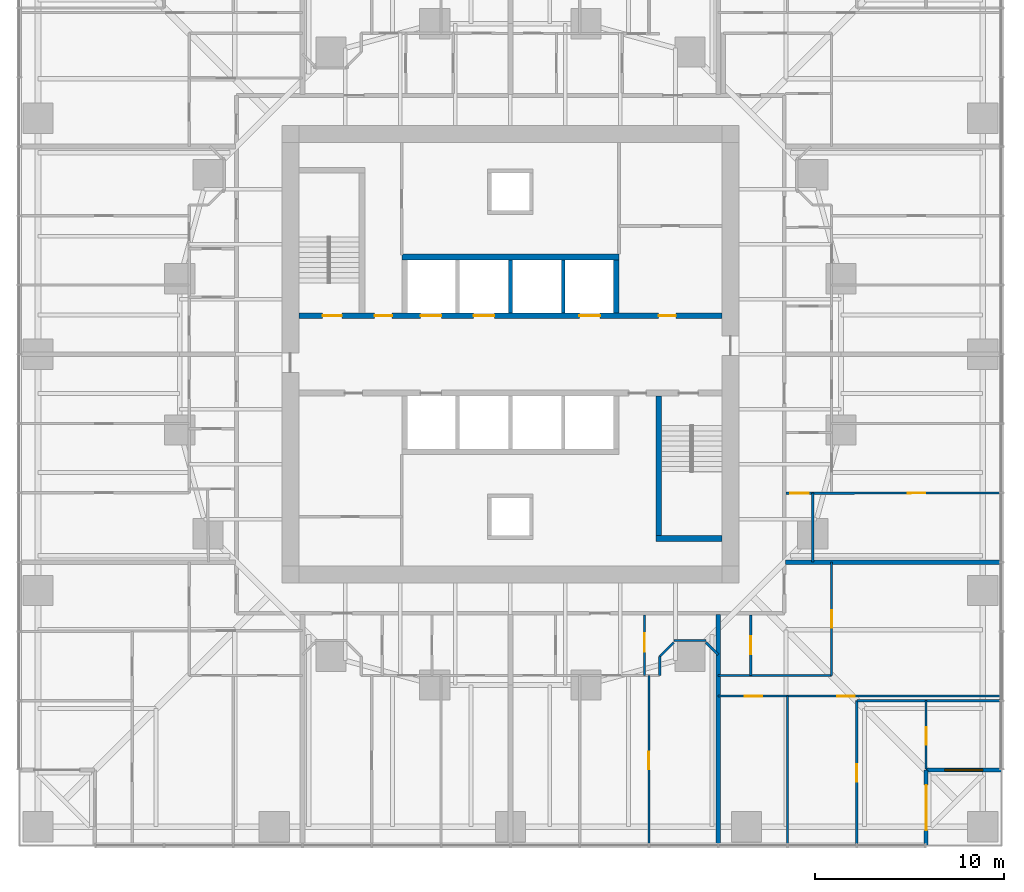
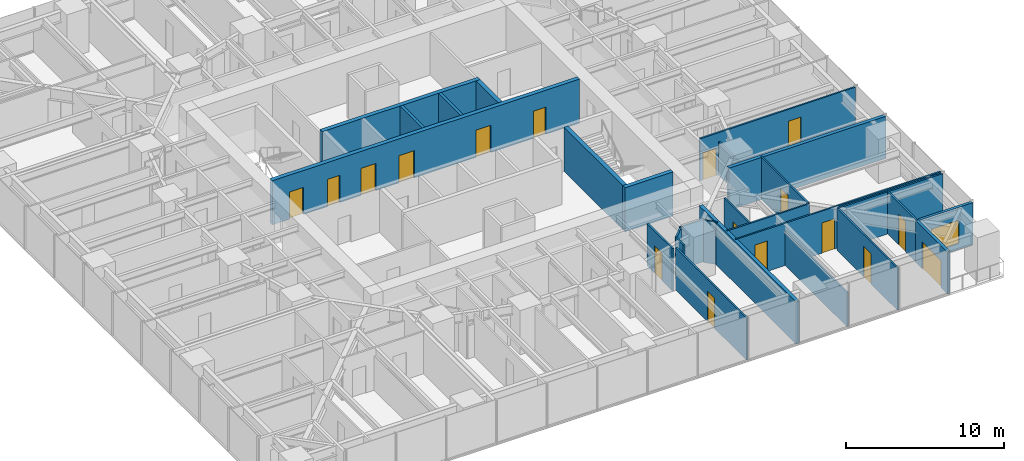
# One storey, part 10 of 17: 27 walls, 17 doors, 1 window, 18 openings.
"""IFC4 building model written with IfcOpenShell, lengths in metres."""

from ifc_helpers import new_model, si_unit, direction, frame, frame_2d, origin, place, context, subcontext, project, spatial, rectangle, extrude, material, layer, layer_set, type_object, element, fill, save


model = new_model("IFC4")

# Units and contexts
model_context = context("Model", 3, precision=1e-05, world=origin(), true_north=direction((0.0, 1.0)))
body_context = subcontext(model_context, "Body", "Model", "MODEL_VIEW")
ifc_project = project(units=[si_unit("LENGTHUNIT", "METRE"), si_unit("AREAUNIT", "SQUARE_METRE"), si_unit("VOLUMEUNIT", "CUBIC_METRE"), si_unit("PLANEANGLEUNIT", "RADIAN"), si_unit("MASSUNIT", "GRAM", prefix="KILO")], contexts=[model_context])

# Site, building, storey
site_placement = place(None, origin())
site = spatial("IfcSite", under=ifc_project, at=site_placement, CompositionType="ELEMENT")
building_placement = place(site_placement, origin())
building = spatial("IfcBuilding", under=site, at=building_placement, Name="Torsade Residences", CompositionType="ELEMENT")
storey_placement = place(building_placement, frame((0.0, 0.0, 21.800048828125)))
storey = spatial("IfcBuildingStorey", under=building, at=storey_placement, Name="L05", CompositionType="ELEMENT", Elevation=21.800048828125)

# Wall, openings, doors
ifc_material_1 = material(Name="Concrete 80 MPa", Category="concrete")
ifc_layer_1 = layer(ifc_material_1, 0.300048828125)
ifc_layer_set_1 = layer_set([ifc_layer_1], Name="Concrete 80 MPa")
wall_type_1 = type_object("IfcWallType", Name="CORE INTERNAL WALL 300", PredefinedType="SHEAR", material=ifc_layer_set_1)
wall_1_placement = place(storey_placement, frame((28.800048828125, 32.050048828125, 0.0), z_axis=(0.0, 0.0, 1.0), x_axis=(1.0, 0.0, 0.0)))
wall_1 = element("IfcWall", 1, at=wall_1_placement, inside=storey, type_object=wall_type_1, Name="Core wall LN L05", PredefinedType="SHEAR", context=body_context, shape_type="SweptSolid", body=[
    extrude(rectangle(XDim=22.39990234375, YDim=0.300048828125, at=frame_2d((11.199951171875, 0.0))), origin(), (0.0, 0.0, 1.0), 3.39990234375),
])
opening_1_placement = place(wall_1_placement, frame((19.0400390625, 0.0, 0.0)))
opening_1 = element("IfcOpeningElement", 2, at=opening_1_placement, cuts=wall_1, Name="Opening D06", PredefinedType="OPENING", context=body_context, shape_type="SweptSolid", body=[
    extrude(rectangle(XDim=0.919921875, YDim=2.10009765625, at=frame_2d((0.4599609375, 1.050048828125))), frame((0.0, 0.159912109375, 0.0), z_axis=(0.0, -1.0, 0.0), x_axis=(1.0, 0.0, 0.0)), (0.0, 0.0, 1.0), 0.320068359375),
])
opening_2_placement = place(wall_1_placement, frame((1.264892578125, 0.0, 0.0)))
opening_2 = element("IfcOpeningElement", 3, at=opening_2_placement, cuts=wall_1, Name="Opening D03", PredefinedType="OPENING", context=body_context, shape_type="SweptSolid", body=[
    extrude(rectangle(XDim=1.02001953125, YDim=2.10009765625, at=frame_2d((0.510009765625, 1.050048828125))), frame((0.0, 0.159912109375, 0.0), z_axis=(0.0, -1.0, 0.0), x_axis=(1.0, 0.0, 0.0)), (0.0, 0.0, 1.0), 0.320068359375),
])
opening_3_placement = place(wall_1_placement, frame((4.014892578125, 0.0, 0.0)))
opening_3 = element("IfcOpeningElement", 4, at=opening_3_placement, cuts=wall_1, Name="Opening D06", PredefinedType="OPENING", context=body_context, shape_type="SweptSolid", body=[
    extrude(rectangle(XDim=0.919921875, YDim=2.10009765625, at=frame_2d((0.4599609375, 1.050048828125))), frame((0.0, 0.159912109375, 0.0), z_axis=(0.0, -1.0, 0.0), x_axis=(1.0, 0.0, 0.0)), (0.0, 0.0, 1.0), 0.320068359375),
])
opening_4_placement = place(wall_1_placement, frame((6.449951171875, 0.0, 0.0)))
opening_4 = element("IfcOpeningElement", 5, at=opening_4_placement, cuts=wall_1, Name="Opening LD", PredefinedType="OPENING", context=body_context, shape_type="SweptSolid", body=[
    extrude(rectangle(XDim=1.10009765625, YDim=2.10009765625, at=frame_2d((0.550048828125, 1.050048828125))), frame((0.0, 0.159912109375, 0.0), z_axis=(0.0, -1.0, 0.0), x_axis=(1.0, 0.0, 0.0)), (0.0, 0.0, 1.0), 0.320068359375),
])
opening_5_placement = place(wall_1_placement, frame((9.25, 0.0, 0.0)))
opening_5 = element("IfcOpeningElement", 6, at=opening_5_placement, cuts=wall_1, Name="Opening LD", PredefinedType="OPENING", context=body_context, shape_type="SweptSolid", body=[
    extrude(rectangle(XDim=1.10009765625, YDim=2.10009765625, at=frame_2d((0.550048828125, 1.050048828125))), frame((0.0, 0.159912109375, 0.0), z_axis=(0.0, -1.0, 0.0), x_axis=(1.0, 0.0, 0.0)), (0.0, 0.0, 1.0), 0.320068359375),
])
opening_6_placement = place(wall_1_placement, frame((14.85009765625, 0.0, 0.0)))
opening_6 = element("IfcOpeningElement", 7, at=opening_6_placement, cuts=wall_1, Name="Opening LD", PredefinedType="OPENING", context=body_context, shape_type="SweptSolid", body=[
    extrude(rectangle(XDim=1.10009765625, YDim=2.10009765625, at=frame_2d((0.550048828125, 1.050048828125))), frame((0.0, 0.159912109375, 0.0), z_axis=(0.0, -1.0, 0.0), x_axis=(1.0, 0.0, 0.0)), (0.0, 0.0, 1.0), 0.320068359375),
])
ifc_material_2 = material(Name="Steel-framed fire door", Category="steel")
door_type_1 = type_object("IfcDoorType", Name="FIRE DOOR 1020", OperationType="NOTDEFINED", PredefinedType="DOOR", material=ifc_material_2)
door_1_placement = place(opening_2_placement, origin())
door_1 = element("IfcDoor", 8, at=door_1_placement, inside=storey, type_object=door_type_1, Name="Exit door to fire-isolated stair ST1 L05", OperationType="SINGLE_SWING_RIGHT", OverallHeight=2.10009765625, OverallWidth=1.02001953125, PredefinedType="DOOR", context=body_context, shape_type="SweptSolid", body=[
    extrude(rectangle(XDim=1.02001953125, YDim=2.10009765625, at=frame_2d((0.510009765625, 1.050048828125))), frame((0.0, 0.02490234375, 0.0), z_axis=(0.0, -1.0, 0.0), x_axis=(1.0, 0.0, 0.0)), (0.0, 0.0, 1.0), 0.050048828125),
])
fill(opening_2, door_1)
ifc_material_3 = material(Name="Steel-framed fire door", Category="steel")
door_type_2 = type_object("IfcDoorType", Name="FIRE DOOR 920", OperationType="NOTDEFINED", PredefinedType="DOOR", material=ifc_material_3)
door_2_placement = place(opening_1_placement, origin())
door_2 = element("IfcDoor", 9, at=door_2_placement, inside=storey, type_object=door_type_2, Name="Door Lift lobby to Refuse room", OperationType="SINGLE_SWING_LEFT", OverallHeight=2.10009765625, OverallWidth=0.919921875, PredefinedType="DOOR", context=body_context, shape_type="SweptSolid", body=[
    extrude(rectangle(XDim=0.919921875, YDim=2.10009765625, at=frame_2d((0.4599609375, 1.050048828125))), frame((0.0, 0.02490234375, 0.0), z_axis=(0.0, -1.0, 0.0), x_axis=(1.0, 0.0, 0.0)), (0.0, 0.0, 1.0), 0.050048828125),
])
fill(opening_1, door_2)
door_3_placement = place(opening_3_placement, origin())
door_3 = element("IfcDoor", 10, at=door_3_placement, inside=storey, type_object=door_type_2, Name="Door Lift lobby to Meter store", OperationType="SINGLE_SWING_LEFT", OverallHeight=2.10009765625, OverallWidth=0.919921875, PredefinedType="DOOR", context=body_context, shape_type="SweptSolid", body=[
    extrude(rectangle(XDim=0.919921875, YDim=2.10009765625, at=frame_2d((0.4599609375, 1.050048828125))), frame((0.0, 0.02490234375, 0.0), z_axis=(0.0, -1.0, 0.0), x_axis=(1.0, 0.0, 0.0)), (0.0, 0.0, 1.0), 0.050048828125),
])
fill(opening_3, door_3)
ifc_material_4 = material(Name="Stainless steel lift landing door", Category="steel")
door_type_3 = type_object("IfcDoorType", Name="LIFT LANDING DOOR 1100", OperationType="SLIDING_TO_LEFT", PredefinedType="DOOR", material=ifc_material_4)
door_4_placement = place(opening_4_placement, origin())
door_4 = element("IfcDoor", 11, at=door_4_placement, inside=storey, type_object=door_type_3, Name="Lift LA1 landing door L05", OperationType="SLIDING_TO_LEFT", OverallHeight=2.10009765625, OverallWidth=1.10009765625, PredefinedType="DOOR", context=body_context, shape_type="SweptSolid", body=[
    extrude(rectangle(XDim=1.10009765625, YDim=2.10009765625, at=frame_2d((0.550048828125, 1.050048828125))), frame((0.0, 0.02490234375, 0.0), z_axis=(0.0, -1.0, 0.0), x_axis=(1.0, 0.0, 0.0)), (0.0, 0.0, 1.0), 0.050048828125),
])
fill(opening_4, door_4)
door_5_placement = place(opening_5_placement, origin())
door_5 = element("IfcDoor", 12, at=door_5_placement, inside=storey, type_object=door_type_3, Name="Lift LA2 landing door L05", OperationType="SLIDING_TO_LEFT", OverallHeight=2.10009765625, OverallWidth=1.10009765625, PredefinedType="DOOR", context=body_context, shape_type="SweptSolid", body=[
    extrude(rectangle(XDim=1.10009765625, YDim=2.10009765625, at=frame_2d((0.550048828125, 1.050048828125))), frame((0.0, 0.02490234375, 0.0), z_axis=(0.0, -1.0, 0.0), x_axis=(1.0, 0.0, 0.0)), (0.0, 0.0, 1.0), 0.050048828125),
])
fill(opening_5, door_5)
door_6_placement = place(opening_6_placement, origin())
door_6 = element("IfcDoor", 13, at=door_6_placement, inside=storey, type_object=door_type_3, Name="Lift FL1 landing door L05", OperationType="SLIDING_TO_LEFT", OverallHeight=2.10009765625, OverallWidth=1.10009765625, PredefinedType="DOOR", context=body_context, shape_type="SweptSolid", body=[
    extrude(rectangle(XDim=1.10009765625, YDim=2.10009765625, at=frame_2d((0.550048828125, 1.050048828125))), frame((0.0, 0.02490234375, 0.0), z_axis=(0.0, -1.0, 0.0), x_axis=(1.0, 0.0, 0.0)), (0.0, 0.0, 1.0), 0.050048828125),
])
fill(opening_6, door_6)

# Walls
wall_2_placement = place(storey_placement, frame((34.25, 35.14990234375, 0.0), z_axis=(0.0, 0.0, 1.0), x_axis=(1.0, 0.0, 0.0)))
element("IfcWall", 14, at=wall_2_placement, inside=storey, type_object=wall_type_1, Name="Core wall BN L05", PredefinedType="SHEAR", context=body_context, shape_type="SweptSolid", body=[
    extrude(rectangle(XDim=11.5, YDim=0.300048828125, at=frame_2d((5.75, 0.0))), origin(), (0.0, 0.0, 1.0), 3.39990234375),
])
wall_3_placement = place(storey_placement, frame((45.60009765625, 32.199951171875, 0.0), z_axis=(0.0, 0.0, 1.0), x_axis=(0.0, 1.0, 0.0)))
element("IfcWall", 15, at=wall_3_placement, inside=storey, type_object=wall_type_1, Name="Core wall DN4 L05", PredefinedType="SHEAR", context=body_context, shape_type="SweptSolid", body=[
    extrude(rectangle(XDim=2.800048828125, YDim=0.300048828125, at=frame_2d((1.39990234375, 0.0))), origin(), (0.0, 0.0, 1.0), 3.39990234375),
])
wall_4_placement = place(storey_placement, frame((47.85009765625, 27.800048828125, 0.0), z_axis=(0.0, 0.0, 1.0), x_axis=(0.0, -1.0, 0.0)))
element("IfcWall", 16, at=wall_4_placement, inside=storey, type_object=wall_type_1, Name="Core wall ST2W L05", PredefinedType="SHEAR", context=body_context, shape_type="SweptSolid", body=[
    extrude(rectangle(XDim=7.699951171875, YDim=0.300048828125, at=frame_2d((3.85009765625, 0.0))), origin(), (0.0, 0.0, 1.0), 3.39990234375),
])
wall_5_placement = place(storey_placement, frame((51.199951171875, 20.25, 0.0), z_axis=(0.0, 0.0, 1.0), x_axis=(-1.0, 0.0, 0.0)))
element("IfcWall", 17, at=wall_5_placement, inside=storey, type_object=wall_type_1, Name="Core wall ST2S L05", PredefinedType="SHEAR", context=body_context, shape_type="SweptSolid", body=[
    extrude(rectangle(XDim=3.5, YDim=0.300048828125, at=frame_2d((1.75, 0.0))), origin(), (0.0, 0.0, 1.0), 3.39990234375),
])
ifc_material_5 = material(Name="Reinforced blockwork", Category="masonry")
ifc_layer_2 = layer(ifc_material_5, 0.199951171875)
ifc_layer_set_2 = layer_set([ifc_layer_2], Name="Reinforced blockwork")
wall_type_2 = type_object("IfcWallType", Name="LIFT SHAFT DIVIDING WALL 200", PredefinedType="SOLIDWALL", material=ifc_layer_set_2)
for number, where, z_axis, x_axis, name in (
    (18, (40.0, 32.199951171875, 0.0), (0.0, 0.0, 1.0), (0.0, 1.0, 0.0), "Core wall DN2 L05"),
    (19, (42.800048828125, 32.199951171875, 0.0), (0.0, 0.0, 1.0), (0.0, 1.0, 0.0), "Core wall DN3 L05"),
):
    element("IfcWall", number, at=place(storey_placement, frame(where, z_axis=z_axis, x_axis=x_axis)), inside=storey, type_object=wall_type_2, Name=name, PredefinedType="SOLIDWALL", context=body_context, shape_type="SweptSolid", body=[
        extrude(rectangle(XDim=2.800048828125, YDim=0.199951171875, at=frame_2d((1.39990234375, 0.0))), origin(), (0.0, 0.0, 1.0), 3.39990234375),
    ])

# Wall, opening, door
ifc_material_6 = material(Name="Plasterboard on steel stud", Category="steel")
ifc_layer_3 = layer(ifc_material_6, 0.1201171875)
ifc_layer_set_3 = layer_set([ifc_layer_3], Name="Plasterboard on steel stud")
wall_type_3 = type_object("IfcWallType", Name="PARTITION 120", PredefinedType="PARTITIONING", material=ifc_layer_set_3)
wall_6_placement = place(storey_placement, frame((47.09765625, 16.199951171875, 0.0), z_axis=(0.0, 0.0, 1.0), x_axis=(0.0, -1.0, 0.0)))
wall_6 = element("IfcWall", 20, at=wall_6_placement, inside=storey, type_object=wall_type_3, Name="Partition L05", PredefinedType="PARTITIONING", context=body_context, shape_type="SweptSolid", body=[
    extrude(rectangle(XDim=3.199951171875, YDim=0.1201171875, at=frame_2d((1.60009765625, 0.0))), origin(), (0.0, 0.0, 1.0), 3.25),
])
opening_7_placement = place(wall_6_placement, frame((0.969970703125, 0.0, 0.0)))
opening_7 = element("IfcOpeningElement", 21, at=opening_7_placement, cuts=wall_6, Name="Opening D05", PredefinedType="OPENING", context=body_context, shape_type="SweptSolid", body=[
    extrude(rectangle(XDim=0.9599609375, YDim=2.10009765625, at=frame_2d((0.47998046875, 1.050048828125))), frame((0.0, 0.070068359375, 0.0), z_axis=(0.0, -1.0, 0.0), x_axis=(1.0, 0.0, 0.0)), (0.0, 0.0, 1.0), 0.14013671875),
])
ifc_material_7 = material(Name="Hollow-core timber door in a steel cavity frame", Category="steel")
door_type_4 = type_object("IfcDoorType", Name="BATHROOM CAVITY SLIDING DOOR 960", OperationType="SLIDING_TO_LEFT", PredefinedType="DOOR", material=ifc_material_7)
door_7_placement = place(opening_7_placement, origin())
door_7 = element("IfcDoor", 22, at=door_7_placement, inside=storey, type_object=door_type_4, Name="Door Kitchen and dining to Bathroom", OperationType="SLIDING_TO_LEFT", OverallHeight=2.10009765625, OverallWidth=0.9599609375, PredefinedType="DOOR", context=body_context, shape_type="SweptSolid", body=[
    extrude(rectangle(XDim=0.9599609375, YDim=2.10009765625, at=frame_2d((0.47998046875, 1.050048828125))), frame((0.0, 0.02490234375, 0.0), z_axis=(0.0, -1.0, 0.0), x_axis=(1.0, 0.0, 0.0)), (0.0, 0.0, 1.0), 0.050048828125),
])
fill(opening_7, door_7)

# Walls
wall_7_placement = place(storey_placement, frame((51.0, 14.10009765625, 0.0), z_axis=(0.0, 0.0, 1.0), x_axis=(-0.707106781187, 0.707106781187, 0.0)))
element("IfcWall", 23, at=wall_7_placement, inside=storey, type_object=wall_type_3, Name="Partition L05", PredefinedType="PARTITIONING", context=body_context, shape_type="SweptSolid", body=[
    extrude(rectangle(XDim=0.919189453125, YDim=0.1201171875, at=frame_2d((0.45947265625, 0.0))), origin(), (0.0, 0.0, 1.0), 3.25),
])
wall_8_placement = place(storey_placement, frame((50.35009765625, 14.85009765625, 0.0), z_axis=(0.0, 0.0, 1.0), x_axis=(-1.0, 0.0, 0.0)))
element("IfcWall", 24, at=wall_8_placement, inside=storey, type_object=wall_type_3, Name="Partition L05", PredefinedType="PARTITIONING", context=body_context, shape_type="SweptSolid", body=[
    extrude(rectangle(XDim=1.7001953125, YDim=0.1201171875, at=frame_2d((0.85009765625, 0.0))), origin(), (0.0, 0.0, 1.0), 3.25),
])
wall_9_placement = place(storey_placement, frame((48.64990234375, 14.75, 0.0), z_axis=(0.0, 0.0, 1.0), x_axis=(-0.707106781187, -0.707106781187, 0.0)))
element("IfcWall", 25, at=wall_9_placement, inside=storey, type_object=wall_type_3, Name="Partition L05", PredefinedType="PARTITIONING", context=body_context, shape_type="SweptSolid", body=[
    extrude(rectangle(XDim=1.060546875, YDim=0.1201171875, at=frame_2d((0.5302734375, 0.0))), origin(), (0.0, 0.0, 1.0), 3.25),
])
wall_10_placement = place(storey_placement, frame((47.89990234375, 14.0, 0.0), z_axis=(0.0, 0.0, 1.0), x_axis=(0.0, -1.0, 0.0)))
element("IfcWall", 26, at=wall_10_placement, inside=storey, type_object=wall_type_3, Name="Partition L05", PredefinedType="PARTITIONING", context=body_context, shape_type="SweptSolid", body=[
    extrude(rectangle(XDim=1.0, YDim=0.1201171875, at=frame_2d((0.5, 0.0))), origin(), (0.0, 0.0, 1.0), 3.25),
])

# Wall, opening, door
wall_11_placement = place(storey_placement, frame((47.333251953125, 4.0400390625, 0.0), z_axis=(0.0, 0.0, 1.0), x_axis=(0.0, 1.0, 0.0)))
wall_11 = element("IfcWall", 27, at=wall_11_placement, inside=storey, type_object=wall_type_3, Name="Partition L05", PredefinedType="PARTITIONING", context=body_context, shape_type="SweptSolid", body=[
    extrude(rectangle(XDim=8.9599609375, YDim=0.1201171875, at=frame_2d((4.47998046875, 0.0))), origin(), (0.0, 0.0, 1.0), 3.25),
])
opening_8_placement = place(wall_11_placement, frame((4.0, 0.0, 0.0)))
opening_8 = element("IfcOpeningElement", 28, at=opening_8_placement, cuts=wall_11, Name="Opening D02", PredefinedType="OPENING", context=body_context, shape_type="SweptSolid", body=[
    extrude(rectangle(XDim=0.919921875, YDim=2.340087890625, at=frame_2d((0.4599609375, 1.169921875))), frame((0.0, 0.070068359375, 0.0), z_axis=(0.0, -1.0, 0.0), x_axis=(1.0, 0.0, 0.0)), (0.0, 0.0, 1.0), 0.14013671875),
])
ifc_material_8 = material(Name="Hollow-core timber door", Category="wood")
door_type_5 = type_object("IfcDoorType", Name="INTERNAL DOOR 920x2340", OperationType="NOTDEFINED", PredefinedType="DOOR", material=ifc_material_8)
door_8_placement = place(opening_8_placement, origin())
door_8 = element("IfcDoor", 29, at=door_8_placement, inside=storey, type_object=door_type_5, Name="Door Bedroom 2 to Bedroom 1", OperationType="SINGLE_SWING_LEFT", OverallHeight=2.340087890625, OverallWidth=0.919921875, PredefinedType="DOOR", context=body_context, shape_type="SweptSolid", body=[
    extrude(rectangle(XDim=0.919921875, YDim=2.340087890625, at=frame_2d((0.4599609375, 1.169921875))), frame((0.0, 0.02490234375, 0.0), z_axis=(0.0, -1.0, 0.0), x_axis=(1.0, 0.0, 0.0)), (0.0, 0.0, 1.0), 0.050048828125),
])
fill(opening_8, door_8)

wall_12_placement = place(storey_placement, frame((52.718994140625, 13.0, 0.0), z_axis=(0.0, 0.0, 1.0), x_axis=(0.0, 1.0, 0.0)))
wall_12 = element("IfcWall", 30, at=wall_12_placement, inside=storey, type_object=wall_type_3, Name="Partition L05", PredefinedType="PARTITIONING", context=body_context, shape_type="SweptSolid", body=[
    extrude(rectangle(XDim=3.199951171875, YDim=0.1201171875, at=frame_2d((1.60009765625, 0.0))), origin(), (0.0, 0.0, 1.0), 3.25),
])
opening_9_placement = place(wall_12_placement, frame((1.119873046875, 0.0, 0.0)))
opening_9 = element("IfcOpeningElement", 31, at=opening_9_placement, cuts=wall_12, Name="Opening D05", PredefinedType="OPENING", context=body_context, shape_type="SweptSolid", body=[
    extrude(rectangle(XDim=0.9599609375, YDim=2.10009765625, at=frame_2d((0.47998046875, 1.050048828125))), frame((0.0, 0.070068359375, 0.0), z_axis=(0.0, -1.0, 0.0), x_axis=(1.0, 0.0, 0.0)), (0.0, 0.0, 1.0), 0.14013671875),
])
door_9_placement = place(opening_9_placement, origin())
door_9 = element("IfcDoor", 32, at=door_9_placement, inside=storey, type_object=door_type_4, Name="Door Kitchen and dining to Bathroom", OperationType="SLIDING_TO_LEFT", OverallHeight=2.10009765625, OverallWidth=0.9599609375, PredefinedType="DOOR", context=body_context, shape_type="SweptSolid", body=[
    extrude(rectangle(XDim=0.9599609375, YDim=2.10009765625, at=frame_2d((0.47998046875, 1.050048828125))), frame((0.0, 0.02490234375, 0.0), z_axis=(0.0, -1.0, 0.0), x_axis=(1.0, 0.0, 0.0)), (0.0, 0.0, 1.0), 0.050048828125),
])
fill(opening_9, door_9)

wall_13_placement = place(storey_placement, frame((57.0, 19.0, 0.0), z_axis=(0.0, 0.0, 1.0), x_axis=(0.0, -1.0, 0.0)))
wall_13 = element("IfcWall", 33, at=wall_13_placement, inside=storey, type_object=wall_type_3, Name="Partition L05", PredefinedType="PARTITIONING", context=body_context, shape_type="SweptSolid", body=[
    extrude(rectangle(XDim=6.0, YDim=0.1201171875, at=frame_2d((3.0, 0.0))), origin(), (0.0, 0.0, 1.0), 3.25),
])
opening_10_placement = place(wall_13_placement, frame((2.5400390625, 0.0, 0.0)))
opening_10 = element("IfcOpeningElement", 34, at=opening_10_placement, cuts=wall_13, Name="Opening D02", PredefinedType="OPENING", context=body_context, shape_type="SweptSolid", body=[
    extrude(rectangle(XDim=0.919921875, YDim=2.340087890625, at=frame_2d((0.4599609375, 1.169921875))), frame((0.0, 0.070068359375, 0.0), z_axis=(0.0, -1.0, 0.0), x_axis=(1.0, 0.0, 0.0)), (0.0, 0.0, 1.0), 0.14013671875),
])
door_10_placement = place(opening_10_placement, origin())
door_10 = element("IfcDoor", 35, at=door_10_placement, inside=storey, type_object=door_type_5, Name="Door Kitchen and dining to Living room", OperationType="SINGLE_SWING_LEFT", OverallHeight=2.340087890625, OverallWidth=0.919921875, PredefinedType="DOOR", context=body_context, shape_type="SweptSolid", body=[
    extrude(rectangle(XDim=0.919921875, YDim=2.340087890625, at=frame_2d((0.4599609375, 1.169921875))), frame((0.0, 0.02490234375, 0.0), z_axis=(0.0, -1.0, 0.0), x_axis=(1.0, 0.0, 0.0)), (0.0, 0.0, 1.0), 0.050048828125),
])
fill(opening_10, door_10)

# Wall
wall_14_placement = place(storey_placement, frame((57.0, 13.0, 0.0), z_axis=(0.0, 0.0, 1.0), x_axis=(-1.0, 0.0, 0.0)))
element("IfcWall", 36, at=wall_14_placement, inside=storey, type_object=wall_type_3, Name="Partition L05", PredefinedType="PARTITIONING", context=body_context, shape_type="SweptSolid", body=[
    extrude(rectangle(XDim=6.0, YDim=0.1201171875, at=frame_2d((3.0, 0.0))), origin(), (0.0, 0.0, 1.0), 3.25),
])

# Wall, openings, doors
wall_15_placement = place(storey_placement, frame((65.9599609375, 11.910888671875, 0.0), z_axis=(0.0, 0.0, 1.0), x_axis=(-1.0, 0.0, 0.0)))
wall_15 = element("IfcWall", 37, at=wall_15_placement, inside=storey, type_object=wall_type_3, Name="Partition L05", PredefinedType="PARTITIONING", context=body_context, shape_type="SweptSolid", body=[
    extrude(rectangle(XDim=14.9599609375, YDim=0.1201171875, at=frame_2d((7.47998046875, 0.0))), origin(), (0.0, 0.0, 1.0), 3.25),
])
opening_11_placement = place(wall_15_placement, frame((7.74169921875, 0.0, 0.0)))
opening_11 = element("IfcOpeningElement", 38, at=opening_11_placement, cuts=wall_15, Name="Opening D02", PredefinedType="OPENING", context=body_context, shape_type="SweptSolid", body=[
    extrude(rectangle(XDim=0.919921875, YDim=2.340087890625, at=frame_2d((0.4599609375, 1.169921875))), frame((0.0, 0.070068359375, 0.0), z_axis=(0.0, -1.0, 0.0), x_axis=(1.0, 0.0, 0.0)), (0.0, 0.0, 1.0), 0.14013671875),
])
opening_12_placement = place(wall_15_placement, frame((12.6416015625, 0.0, 0.0)))
opening_12 = element("IfcOpeningElement", 39, at=opening_12_placement, cuts=wall_15, Name="Opening D02", PredefinedType="OPENING", context=body_context, shape_type="SweptSolid", body=[
    extrude(rectangle(XDim=0.919921875, YDim=2.340087890625, at=frame_2d((0.4599609375, 1.169921875))), frame((0.0, 0.070068359375, 0.0), z_axis=(0.0, -1.0, 0.0), x_axis=(1.0, 0.0, 0.0)), (0.0, 0.0, 1.0), 0.14013671875),
])
door_11_placement = place(opening_11_placement, origin())
door_11 = element("IfcDoor", 40, at=door_11_placement, inside=storey, type_object=door_type_5, Name="Door Living room to Bedroom 1", OperationType="SINGLE_SWING_RIGHT", OverallHeight=2.340087890625, OverallWidth=0.919921875, PredefinedType="DOOR", context=body_context, shape_type="SweptSolid", body=[
    extrude(rectangle(XDim=0.919921875, YDim=2.340087890625, at=frame_2d((0.4599609375, 1.169921875))), frame((0.0, 0.02490234375, 0.0), z_axis=(0.0, -1.0, 0.0), x_axis=(1.0, 0.0, 0.0)), (0.0, 0.0, 1.0), 0.050048828125),
])
fill(opening_11, door_11)
door_12_placement = place(opening_12_placement, origin())
door_12 = element("IfcDoor", 41, at=door_12_placement, inside=storey, type_object=door_type_5, Name="Door Living room to Bedroom 2", OperationType="SINGLE_SWING_RIGHT", OverallHeight=2.340087890625, OverallWidth=0.919921875, PredefinedType="DOOR", context=body_context, shape_type="SweptSolid", body=[
    extrude(rectangle(XDim=0.919921875, YDim=2.340087890625, at=frame_2d((0.4599609375, 1.169921875))), frame((0.0, 0.02490234375, 0.0), z_axis=(0.0, -1.0, 0.0), x_axis=(1.0, 0.0, 0.0)), (0.0, 0.0, 1.0), 0.050048828125),
])
fill(opening_12, door_12)

# Walls
wall_16_placement = place(storey_placement, frame((54.666748046875, 4.0400390625, 0.0), z_axis=(0.0, 0.0, 1.0), x_axis=(0.0, 1.0, 0.0)))
element("IfcWall", 42, at=wall_16_placement, inside=storey, type_object=wall_type_3, Name="Partition L05", PredefinedType="PARTITIONING", context=body_context, shape_type="SweptSolid", body=[
    extrude(rectangle(XDim=7.870849609375, YDim=0.1201171875, at=frame_2d((3.935546875, 0.0))), origin(), (0.0, 0.0, 1.0), 2.637939453125),
])
wall_17_placement = place(storey_placement, frame((65.9599609375, 11.666748046875, 0.0), z_axis=(0.0, 0.0, 1.0), x_axis=(-1.0, 0.0, 0.0)))
element("IfcWall", 43, at=wall_17_placement, inside=storey, type_object=wall_type_3, Name="Partition L05", PredefinedType="PARTITIONING", context=body_context, shape_type="SweptSolid", body=[
    extrude(rectangle(XDim=7.626708984375, YDim=0.1201171875, at=frame_2d((3.8134765625, 0.0))), origin(), (0.0, 0.0, 1.0), 3.25),
])

# Wall, opening, door
wall_18_placement = place(storey_placement, frame((58.333251953125, 11.666748046875, 0.0), z_axis=(0.0, 0.0, 1.0), x_axis=(0.0, -1.0, 0.0)))
wall_18 = element("IfcWall", 44, at=wall_18_placement, inside=storey, type_object=wall_type_3, Name="Partition L05", PredefinedType="PARTITIONING", context=body_context, shape_type="SweptSolid", body=[
    extrude(rectangle(XDim=7.626708984375, YDim=0.1201171875, at=frame_2d((3.8134765625, 0.0))), origin(), (0.0, 0.0, 1.0), 3.25),
])
opening_13_placement = place(wall_18_placement, frame((3.373291015625, 0.0, 0.0)))
opening_13 = element("IfcOpeningElement", 45, at=opening_13_placement, cuts=wall_18, Name="Opening D02", PredefinedType="OPENING", context=body_context, shape_type="SweptSolid", body=[
    extrude(rectangle(XDim=0.919921875, YDim=2.340087890625, at=frame_2d((0.4599609375, 1.169921875))), frame((0.0, 0.070068359375, 0.0), z_axis=(0.0, -1.0, 0.0), x_axis=(1.0, 0.0, 0.0)), (0.0, 0.0, 1.0), 0.14013671875),
])
door_13_placement = place(opening_13_placement, origin())
door_13 = element("IfcDoor", 46, at=door_13_placement, inside=storey, type_object=door_type_5, Name="Door Bedroom 1 to Study", OperationType="SINGLE_SWING_RIGHT", OverallHeight=2.340087890625, OverallWidth=0.919921875, PredefinedType="DOOR", context=body_context, shape_type="SweptSolid", body=[
    extrude(rectangle(XDim=0.919921875, YDim=2.340087890625, at=frame_2d((0.4599609375, 1.169921875))), frame((0.0, 0.02490234375, 0.0), z_axis=(0.0, -1.0, 0.0), x_axis=(1.0, 0.0, 0.0)), (0.0, 0.0, 1.0), 0.050048828125),
])
fill(opening_13, door_13)

wall_19_placement = place(storey_placement, frame((62.0, 11.666748046875, 0.0), z_axis=(0.0, 0.0, 1.0), x_axis=(0.0, -1.0, 0.0)))
wall_19 = element("IfcWall", 47, at=wall_19_placement, inside=storey, type_object=wall_type_3, Name="Partition L05", PredefinedType="PARTITIONING", context=body_context, shape_type="SweptSolid", body=[
    extrude(rectangle(XDim=3.626708984375, YDim=0.1201171875, at=frame_2d((1.8134765625, 0.0))), origin(), (0.0, 0.0, 1.0), 3.25),
])
opening_14_placement = place(wall_19_placement, frame((1.3984375, 0.0, 0.0)))
opening_14 = element("IfcOpeningElement", 48, at=opening_14_placement, cuts=wall_19, Name="Opening D02", PredefinedType="OPENING", context=body_context, shape_type="SweptSolid", body=[
    extrude(rectangle(XDim=0.919921875, YDim=2.340087890625, at=frame_2d((0.4599609375, 1.169921875))), frame((0.0, 0.070068359375, 0.0), z_axis=(0.0, -1.0, 0.0), x_axis=(1.0, 0.0, 0.0)), (0.0, 0.0, 1.0), 0.14013671875),
])
door_14_placement = place(opening_14_placement, origin())
door_14 = element("IfcDoor", 49, at=door_14_placement, inside=storey, type_object=door_type_5, Name="Door Study to Family room", OperationType="SINGLE_SWING_LEFT", OverallHeight=2.340087890625, OverallWidth=0.919921875, PredefinedType="DOOR", context=body_context, shape_type="SweptSolid", body=[
    extrude(rectangle(XDim=0.919921875, YDim=2.340087890625, at=frame_2d((0.4599609375, 1.169921875))), frame((0.0, 0.02490234375, 0.0), z_axis=(0.0, -1.0, 0.0), x_axis=(1.0, 0.0, 0.0)), (0.0, 0.0, 1.0), 0.050048828125),
])
fill(opening_14, door_14)

# Wall, openings, doors
wall_20_placement = place(storey_placement, frame((54.60009765625, 22.648681640625, 0.0), z_axis=(0.0, 0.0, 1.0), x_axis=(0.999998735361, 0.001590369792, 0.0)))
wall_20 = element("IfcWall", 50, at=wall_20_placement, inside=storey, type_object=wall_type_3, Name="Partition L05", PredefinedType="PARTITIONING", context=body_context, shape_type="SweptSolid", body=[
    extrude(rectangle(XDim=11.35986328125, YDim=0.1201171875, at=frame_2d((5.679931640625, 0.0))), origin(), (0.0, 0.0, 1.0), 3.25),
])
opening_15_placement = place(wall_20_placement, frame((0.219970703125, 0.0, 0.0)))
opening_15 = element("IfcOpeningElement", 51, at=opening_15_placement, cuts=wall_20, Name="Opening D05", PredefinedType="OPENING", context=body_context, shape_type="SweptSolid", body=[
    extrude(rectangle(XDim=0.9599609375, YDim=2.10009765625, at=frame_2d((0.47998046875, 1.050048828125))), frame((0.0, 0.070068359375, 0.0), z_axis=(0.0, -1.0, 0.0), x_axis=(1.0, 0.0, 0.0)), (0.0, 0.0, 1.0), 0.14013671875),
])
opening_16_placement = place(wall_20_placement, frame((6.43994140625, 0.0, 0.0)))
opening_16 = element("IfcOpeningElement", 52, at=opening_16_placement, cuts=wall_20, Name="Opening D02", PredefinedType="OPENING", context=body_context, shape_type="SweptSolid", body=[
    extrude(rectangle(XDim=0.919921875, YDim=2.340087890625, at=frame_2d((0.4599609375, 1.169921875))), frame((0.0, 0.070068359375, 0.0), z_axis=(0.0, -1.0, 0.0), x_axis=(1.0, 0.0, 0.0)), (0.0, 0.0, 1.0), 0.14013671875),
])
door_15_placement = place(opening_15_placement, origin())
door_15 = element("IfcDoor", 53, at=door_15_placement, inside=storey, type_object=door_type_4, Name="Door Ensuite to Bathroom", OperationType="SLIDING_TO_LEFT", OverallHeight=2.10009765625, OverallWidth=0.9599609375, PredefinedType="DOOR", context=body_context, shape_type="SweptSolid", body=[
    extrude(rectangle(XDim=0.9599609375, YDim=2.10009765625, at=frame_2d((0.47998046875, 1.050048828125))), frame((0.0, 0.02490234375, 0.0), z_axis=(0.0, -1.0, 0.0), x_axis=(1.0, 0.0, 0.0)), (0.0, 0.0, 1.0), 0.050048828125),
])
fill(opening_15, door_15)
door_16_placement = place(opening_16_placement, origin())
door_16 = element("IfcDoor", 54, at=door_16_placement, inside=storey, type_object=door_type_5, Name="Door Bedroom 2 to Living room", OperationType="SINGLE_SWING_RIGHT", OverallHeight=2.340087890625, OverallWidth=0.919921875, PredefinedType="DOOR", context=body_context, shape_type="SweptSolid", body=[
    extrude(rectangle(XDim=0.919921875, YDim=2.340087890625, at=frame_2d((0.4599609375, 1.169921875))), frame((0.0, 0.02490234375, 0.0), z_axis=(0.0, -1.0, 0.0), x_axis=(1.0, 0.0, 0.0)), (0.0, 0.0, 1.0), 0.050048828125),
])
fill(opening_16, door_16)

# Walls
wall_21_placement = place(storey_placement, frame((56.0, 22.648681640625, 0.0), z_axis=(0.0, 0.0, 1.0), x_axis=(0.0, -1.0, 0.0)))
element("IfcWall", 55, at=wall_21_placement, inside=storey, type_object=wall_type_3, Name="Partition L05", PredefinedType="PARTITIONING", context=body_context, shape_type="SweptSolid", body=[
    extrude(rectangle(XDim=3.648681640625, YDim=0.1201171875, at=frame_2d((1.82421875, 0.0))), origin(), (0.0, 0.0, 1.0), 2.549072265625),
])
ifc_material_9 = material(Name="Masonry-lined stud party wall", Category="masonry")
ifc_layer_4 = layer(ifc_material_9, 0.25)
ifc_layer_set_4 = layer_set([ifc_layer_4], Name="Masonry-lined stud party wall")
wall_type_4 = type_object("IfcWallType", Name="PARTY WALL 250", PredefinedType="PARTITIONING", material=ifc_layer_set_4)
wall_22_placement = place(storey_placement, frame((51.0, 4.0, 0.0), z_axis=(0.0, 0.0, 1.0), x_axis=(0.0, 1.0, 0.0)))
element("IfcWall", 56, at=wall_22_placement, inside=storey, type_object=wall_type_4, Name="Party wall L05", PredefinedType="PARTITIONING", context=body_context, shape_type="SweptSolid", body=[
    extrude(rectangle(XDim=12.239990234375, YDim=0.25, at=frame_2d((6.1201171875, 0.0))), origin(), (0.0, 0.0, 1.0), 3.25),
])
wall_23_placement = place(storey_placement, frame((66.0, 19.0, 0.0), z_axis=(0.0, 0.0, 1.0), x_axis=(-1.0, 0.0, 0.0)))
element("IfcWall", 57, at=wall_23_placement, inside=storey, type_object=wall_type_4, Name="Party wall L05", PredefinedType="PARTITIONING", context=body_context, shape_type="SweptSolid", body=[
    extrude(rectangle(XDim=11.43994140625, YDim=0.25, at=frame_2d((5.719970703125, 0.0))), origin(), (0.0, 0.0, 1.0), 3.25),
])

# Wall, opening, door
ifc_material_10 = material(Name="Stone-faced precast concrete 40 MPa panel", Category="masonry")
ifc_layer_5 = layer(ifc_material_10, 0.199951171875)
ifc_layer_set_5 = layer_set([ifc_layer_5], Name="Stone-faced precast concrete 40 MPa panel")
wall_type_5 = type_object("IfcWallType", Name="TERRACE WALL 200", PredefinedType="SOLIDWALL", material=ifc_layer_set_5)
wall_24_placement = place(storey_placement, frame((62.0, 4.0, 0.0), z_axis=(0.0, 0.0, 1.0), x_axis=(0.0, 1.0, 0.0)))
wall_24 = element("IfcWall", 58, at=wall_24_placement, inside=storey, type_object=wall_type_5, Name="Terrace wall L05 2", PredefinedType="SOLIDWALL", context=body_context, shape_type="SweptSolid", body=[
    extrude(rectangle(XDim=4.0, YDim=0.199951171875, at=frame_2d((2.0, 0.0))), origin(), (0.0, 0.0, 1.0), 3.25),
])
opening_17_placement = place(wall_24_placement, frame((0.800048828125, 0.0, 0.0)))
opening_17 = element("IfcOpeningElement", 59, at=opening_17_placement, cuts=wall_24, Name="Opening D10A", PredefinedType="OPENING", context=body_context, shape_type="SweptSolid", body=[
    extrude(rectangle(XDim=2.39990234375, YDim=2.10009765625, at=frame_2d((1.199951171875, 1.050048828125))), frame((0.0, 0.10986328125, 0.0), z_axis=(0.0, -1.0, 0.0), x_axis=(1.0, 0.0, 0.0)), (0.0, 0.0, 1.0), 0.219970703125),
])
ifc_material_11 = material(Name="Aluminium-framed glass door", Category="aluminium")
door_type_6 = type_object("IfcDoorType", Name="TERRACE SLIDING DOOR 2400x2100", OperationType="SLIDING_TO_LEFT", PredefinedType="DOOR", material=ifc_material_11)
door_17_placement = place(opening_17_placement, origin())
door_17 = element("IfcDoor", 60, at=door_17_placement, inside=storey, type_object=door_type_6, Name="Terrace door L05 2", OperationType="SLIDING_TO_LEFT", OverallHeight=2.10009765625, OverallWidth=2.39990234375, PredefinedType="DOOR", context=body_context, shape_type="SweptSolid", body=[
    extrude(rectangle(XDim=2.39990234375, YDim=2.10009765625, at=frame_2d((1.199951171875, 1.050048828125))), frame((0.0, 0.02490234375, 0.0), z_axis=(0.0, -1.0, 0.0), x_axis=(1.0, 0.0, 0.0)), (0.0, 0.0, 1.0), 0.050048828125),
])
fill(opening_17, door_17)

# Wall, opening, window
wall_25_placement = place(storey_placement, frame((62.0, 8.0, 0.0), z_axis=(0.0, 0.0, 1.0), x_axis=(1.0, 0.0, 0.0)))
wall_25 = element("IfcWall", 61, at=wall_25_placement, inside=storey, type_object=wall_type_5, Name="Terrace wall L05 3", PredefinedType="SOLIDWALL", context=body_context, shape_type="SweptSolid", body=[
    extrude(rectangle(XDim=4.0, YDim=0.199951171875, at=frame_2d((2.0, 0.0))), origin(), (0.0, 0.0, 1.0), 3.25),
])
opening_18_placement = place(wall_25_placement, frame((1.0, 0.0, 0.449951171875)))
opening_18 = element("IfcOpeningElement", 62, at=opening_18_placement, cuts=wall_25, Name="Opening W1B", PredefinedType="OPENING", context=body_context, shape_type="SweptSolid", body=[
    extrude(rectangle(XDim=2.0, YDim=1.800048828125, at=frame_2d((1.0, 0.89990234375))), frame((0.0, 0.10986328125, 0.0), z_axis=(0.0, -1.0, 0.0), x_axis=(1.0, 0.0, 0.0)), (0.0, 0.0, 1.0), 0.219970703125),
])
ifc_material_12 = material(Name="Aluminium-framed glass window", Category="aluminium")
window_type = type_object("IfcWindowType", Name="TERRACE WINDOW 2000x1800", PartitioningType="SINGLE_PANEL", PredefinedType="WINDOW", material=ifc_material_12)
window_placement = place(opening_18_placement, origin())
window = element("IfcWindow", 63, at=window_placement, inside=storey, type_object=window_type, Name="Terrace window L05 3", OverallHeight=1.800048828125, OverallWidth=2.0, PartitioningType="SINGLE_PANEL", PredefinedType="WINDOW", context=body_context, shape_type="SweptSolid", body=[
    extrude(rectangle(XDim=2.0, YDim=1.800048828125, at=frame_2d((1.0, 0.89990234375))), frame((0.0, 0.030029296875, 0.0), z_axis=(0.0, -1.0, 0.0), x_axis=(1.0, 0.0, 0.0)), (0.0, 0.0, 1.0), 0.06005859375),
])
fill(opening_18, window)

save(model, "model.ifc")
